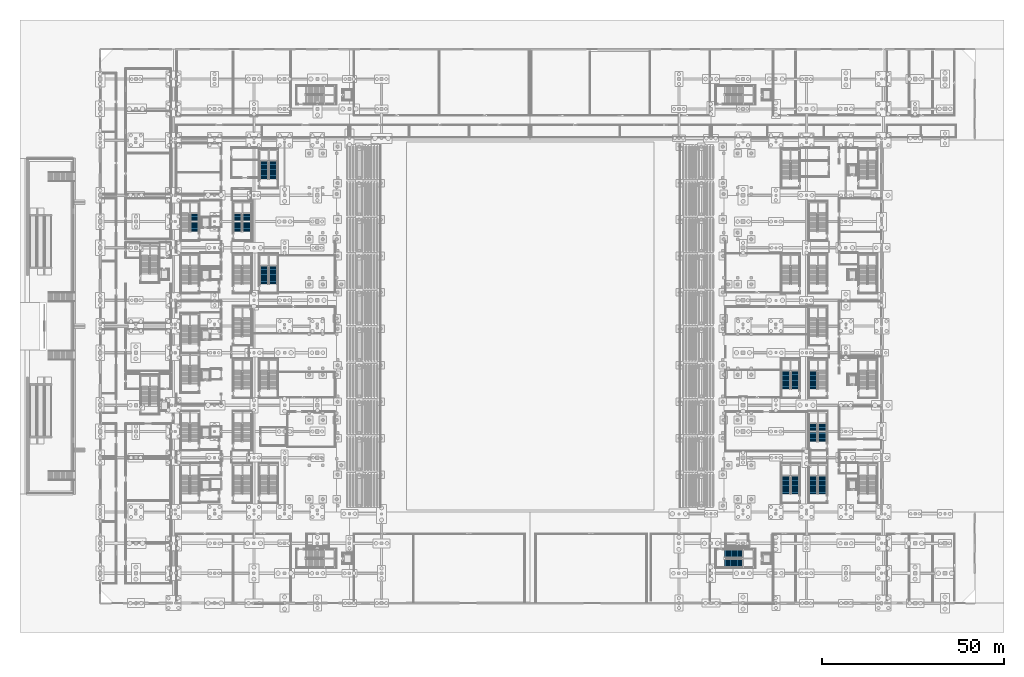
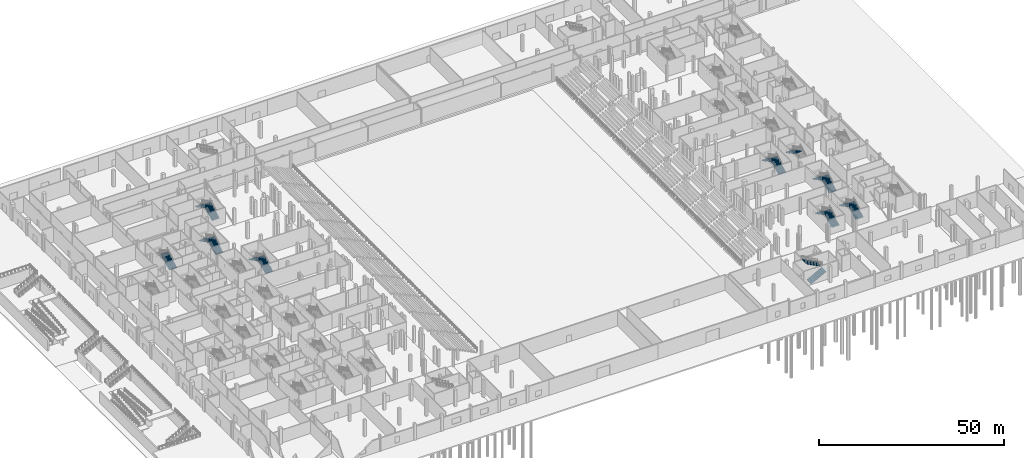
# One storey, part 53 of 89: 18 stair flights, 10 elements without a shape of their own.
"""IFC4 building model written with IfcOpenShell, lengths in metres."""

from ifc_helpers import new_model, si_unit, direction, frame, origin, place, context, subcontext, project, spatial, polyline, outline, extrude, material, type_object, element, aggregate, save


model = new_model("IFC4")

# Units and contexts
model_context = context("Model", 3, precision=1e-05, world=origin(), true_north=direction((0.0, 1.0)))
body_context = subcontext(model_context, "Body", "Model", "MODEL_VIEW")
ifc_project = project(units=[si_unit("LENGTHUNIT", "METRE"), si_unit("AREAUNIT", "SQUARE_METRE"), si_unit("VOLUMEUNIT", "CUBIC_METRE"), si_unit("PLANEANGLEUNIT", "RADIAN"), si_unit("MASSUNIT", "GRAM", prefix="KILO")], contexts=[model_context])

# Site, building, storey
site_placement = place(None, origin())
site = spatial("IfcSite", under=ifc_project, at=site_placement, CompositionType="ELEMENT")
building_placement = place(site_placement, origin())
building = spatial("IfcBuilding", under=site, at=building_placement, Name="Koshinbarg Plaza Stadium", CompositionType="ELEMENT")
storey_placement = place(building_placement, origin())
storey = spatial("IfcBuildingStorey", under=building, at=storey_placement, Name="L00", CompositionType="ELEMENT", Elevation=0.0)

# Stair, stair flight
ifc_material = material(Name="Concrete C35/45", Category="concrete")
stair_type_1 = type_object("IfcStairType", Name="ST-CORE-54", PredefinedType="HALF_TURN_STAIR", material=ifc_material)
stair_1_placement = place(storey_placement, origin())
stair_1 = element("IfcStair", 1, at=stair_1_placement, inside=storey, type_object=stair_type_1, Name="L00 Protected Exit Stair C06", PredefinedType="HALF_TURN_STAIR")
stair_flight_type = type_object("IfcStairFlightType", Name="SFL-CORE-54", PredefinedType="STRAIGHT", material=ifc_material)
stair_flight_1_placement = place(storey_placement, frame((29.889892578125, 101.9599609375, 0.0), z_axis=(0.0, 0.0, 1.0), x_axis=(0.0, 1.0, 0.0)))
stair_flight_1 = element("IfcStairFlight", 2, at=stair_flight_1_placement, type_object=stair_flight_type, Name="L00 Protected Exit Stair C06 flight 061", NumberOfRisers=17, NumberOfTreads=16, PredefinedType="STRAIGHT", RiserHeight=0.158823529, TreadLength=0.3, context=body_context, shape_type="SweptSolid", body=[
    extrude(outline(polyline([(0.0, 0.0), (0.0, 0.158935546875), (0.300048828125, 0.158935546875), (0.300048828125, 0.317626953125), (0.60009765625, 0.317626953125), (0.60009765625, 0.4765625), (0.89990234375, 0.4765625), (0.89990234375, 0.63525390625), (1.199951171875, 0.63525390625), (1.199951171875, 0.794189453125), (1.5, 0.794189453125), (1.5, 0.952880859375), (1.800048828125, 0.952880859375), (1.800048828125, 1.11181640625), (2.10009765625, 1.11181640625), (2.10009765625, 1.2705078125), (2.39990234375, 1.2705078125), (2.39990234375, 1.429443359375), (2.699951171875, 1.429443359375), (2.699951171875, 1.588134765625), (3.0, 1.588134765625), (3.0, 1.7470703125), (3.300048828125, 1.7470703125), (3.300048828125, 1.90576171875), (3.60009765625, 1.90576171875), (3.60009765625, 2.064697265625), (3.89990234375, 2.064697265625), (3.89990234375, 2.2236328125), (4.199951171875, 2.2236328125), (4.199951171875, 2.38232421875), (4.5, 2.38232421875), (4.5, 2.541259765625), (4.800048828125, 2.541259765625), (4.800048828125, 2.699951171875), (4.800048828125, 2.37158203125), (0.3203125, 0.0), (0.0, 0.0)])), frame((0.0, 1.18017578125, 0.0), z_axis=(0.0, -1.0, 0.0), x_axis=(1.0, 0.0, 0.0)), (0.0, 0.0, 1.0), 2.360107421875),
])
aggregate(stair_1, [stair_flight_1])

# Stair, stair flights
stair_2_placement = place(storey_placement, origin())
stair_2 = element("IfcStair", 3, at=stair_2_placement, inside=storey, type_object=stair_type_1, Name="L00 Protected Exit Stair C14", PredefinedType="HALF_TURN_STAIR")
stair_flight_2_placement = place(storey_placement, frame((175.360107421875, 10.97998046875, 0.0), z_axis=(0.0, 0.0, 1.0), x_axis=(1.0, 0.0, 0.0)))
stair_flight_2 = element("IfcStairFlight", 4, at=stair_flight_2_placement, type_object=stair_flight_type, Name="L00 Protected Exit Stair C14 flight 133", NumberOfRisers=17, NumberOfTreads=16, PredefinedType="STRAIGHT", RiserHeight=0.158823529, TreadLength=0.3, context=body_context, shape_type="SweptSolid", body=[
    extrude(outline(polyline([(0.0, 0.0), (0.0, 0.158935546875), (0.300048828125, 0.158935546875), (0.300048828125, 0.317626953125), (0.60009765625, 0.317626953125), (0.60009765625, 0.4765625), (0.89990234375, 0.4765625), (0.89990234375, 0.63525390625), (1.199951171875, 0.63525390625), (1.199951171875, 0.794189453125), (1.5, 0.794189453125), (1.5, 0.952880859375), (1.800048828125, 0.952880859375), (1.800048828125, 1.11181640625), (2.10009765625, 1.11181640625), (2.10009765625, 1.2705078125), (2.39990234375, 1.2705078125), (2.39990234375, 1.429443359375), (2.699951171875, 1.429443359375), (2.699951171875, 1.588134765625), (3.0, 1.588134765625), (3.0, 1.7470703125), (3.300048828125, 1.7470703125), (3.300048828125, 1.90576171875), (3.60009765625, 1.90576171875), (3.60009765625, 2.064697265625), (3.89990234375, 2.064697265625), (3.89990234375, 2.2236328125), (4.199951171875, 2.2236328125), (4.199951171875, 2.38232421875), (4.5, 2.38232421875), (4.5, 2.541259765625), (4.800048828125, 2.541259765625), (4.800048828125, 2.699951171875), (4.800048828125, 2.37158203125), (0.3203125, 0.0), (0.0, 0.0)])), frame((0.0, 1.18017578125, 0.0), z_axis=(0.0, -1.0, 0.0), x_axis=(1.0, 0.0, 0.0)), (0.0, 0.0, 1.0), 2.360107421875),
])
stair_flight_3_placement = place(storey_placement, frame((180.159912109375, 13.489990234375, 2.699951171875), z_axis=(0.0, 0.0, 1.0), x_axis=(-1.0, 0.0, 0.0)))
stair_flight_3 = element("IfcStairFlight", 5, at=stair_flight_3_placement, type_object=stair_flight_type, Name="L00 Protected Exit Stair C14 flight 134", NumberOfRisers=17, NumberOfTreads=16, PredefinedType="STRAIGHT", RiserHeight=0.158823529, TreadLength=0.3, context=body_context, shape_type="SweptSolid", body=[
    extrude(outline(polyline([(0.0, 0.0), (0.0, 0.158935546875), (0.300048828125, 0.158935546875), (0.300048828125, 0.317626953125), (0.60009765625, 0.317626953125), (0.60009765625, 0.4765625), (0.89990234375, 0.4765625), (0.89990234375, 0.63525390625), (1.199951171875, 0.63525390625), (1.199951171875, 0.794189453125), (1.5, 0.794189453125), (1.5, 0.952880859375), (1.800048828125, 0.952880859375), (1.800048828125, 1.11181640625), (2.10009765625, 1.11181640625), (2.10009765625, 1.2705078125), (2.39990234375, 1.2705078125), (2.39990234375, 1.429443359375), (2.699951171875, 1.429443359375), (2.699951171875, 1.588134765625), (3.0, 1.588134765625), (3.0, 1.7470703125), (3.300048828125, 1.7470703125), (3.300048828125, 1.90576171875), (3.60009765625, 1.90576171875), (3.60009765625, 2.064697265625), (3.89990234375, 2.064697265625), (3.89990234375, 2.2236328125), (4.199951171875, 2.2236328125), (4.199951171875, 2.38232421875), (4.5, 2.38232421875), (4.5, 2.541259765625), (4.800048828125, 2.541259765625), (4.800048828125, 2.699951171875), (4.800048828125, 2.37158203125), (0.3203125, 0.0), (0.0, 0.0)])), frame((0.0, 1.18017578125, 0.0), z_axis=(0.0, -1.0, 0.0), x_axis=(1.0, 0.0, 0.0)), (0.0, 0.0, 1.0), 2.360107421875),
])
aggregate(stair_2, [stair_flight_2, stair_flight_3])

stair_type_2 = type_object("IfcStairType", Name="ST-VOM-54", PredefinedType="HALF_TURN_STAIR", material=ifc_material)
stair_3_placement = place(storey_placement, origin())
stair_3 = element("IfcStair", 6, at=stair_3_placement, inside=storey, type_object=stair_type_2, Name="L00 Upper Vomitory Stair VX06", PredefinedType="HALF_TURN_STAIR")
stair_flight_4_placement = place(storey_placement, frame((44.2900390625, 101.9599609375, 0.0), z_axis=(0.0, 0.0, 1.0), x_axis=(0.0, 1.0, 0.0)))
stair_flight_4 = element("IfcStairFlight", 7, at=stair_flight_4_placement, type_object=stair_flight_type, Name="L00 Upper Vomitory Stair VX06 flight 179", NumberOfRisers=17, NumberOfTreads=16, PredefinedType="STRAIGHT", RiserHeight=0.158823529, TreadLength=0.3, context=body_context, shape_type="SweptSolid", body=[
    extrude(outline(polyline([(0.0, 0.0), (0.0, 0.158935546875), (0.300048828125, 0.158935546875), (0.300048828125, 0.317626953125), (0.60009765625, 0.317626953125), (0.60009765625, 0.4765625), (0.89990234375, 0.4765625), (0.89990234375, 0.63525390625), (1.199951171875, 0.63525390625), (1.199951171875, 0.794189453125), (1.5, 0.794189453125), (1.5, 0.952880859375), (1.800048828125, 0.952880859375), (1.800048828125, 1.11181640625), (2.10009765625, 1.11181640625), (2.10009765625, 1.2705078125), (2.39990234375, 1.2705078125), (2.39990234375, 1.429443359375), (2.699951171875, 1.429443359375), (2.699951171875, 1.588134765625), (3.0, 1.588134765625), (3.0, 1.7470703125), (3.300048828125, 1.7470703125), (3.300048828125, 1.90576171875), (3.60009765625, 1.90576171875), (3.60009765625, 2.064697265625), (3.89990234375, 2.064697265625), (3.89990234375, 2.2236328125), (4.199951171875, 2.2236328125), (4.199951171875, 2.38232421875), (4.5, 2.38232421875), (4.5, 2.541259765625), (4.800048828125, 2.541259765625), (4.800048828125, 2.699951171875), (4.800048828125, 2.37158203125), (0.3203125, 0.0), (0.0, 0.0)])), frame((0.0, 1.18017578125, 0.0), z_axis=(0.0, -1.0, 0.0), x_axis=(1.0, 0.0, 0.0)), (0.0, 0.0, 1.0), 2.360107421875),
])
stair_flight_5_placement = place(storey_placement, frame((41.780029296875, 106.760009765625, 2.699951171875), z_axis=(0.0, 0.0, 1.0), x_axis=(0.0, -1.0, 0.0)))
stair_flight_5 = element("IfcStairFlight", 8, at=stair_flight_5_placement, type_object=stair_flight_type, Name="L00 Upper Vomitory Stair VX06 flight 180", NumberOfRisers=17, NumberOfTreads=16, PredefinedType="STRAIGHT", RiserHeight=0.158823529, TreadLength=0.3, context=body_context, shape_type="SweptSolid", body=[
    extrude(outline(polyline([(0.0, 0.0), (0.0, 0.158935546875), (0.300048828125, 0.158935546875), (0.300048828125, 0.317626953125), (0.60009765625, 0.317626953125), (0.60009765625, 0.4765625), (0.89990234375, 0.4765625), (0.89990234375, 0.63525390625), (1.199951171875, 0.63525390625), (1.199951171875, 0.794189453125), (1.5, 0.794189453125), (1.5, 0.952880859375), (1.800048828125, 0.952880859375), (1.800048828125, 1.11181640625), (2.10009765625, 1.11181640625), (2.10009765625, 1.2705078125), (2.39990234375, 1.2705078125), (2.39990234375, 1.429443359375), (2.699951171875, 1.429443359375), (2.699951171875, 1.588134765625), (3.0, 1.588134765625), (3.0, 1.7470703125), (3.300048828125, 1.7470703125), (3.300048828125, 1.90576171875), (3.60009765625, 1.90576171875), (3.60009765625, 2.064697265625), (3.89990234375, 2.064697265625), (3.89990234375, 2.2236328125), (4.199951171875, 2.2236328125), (4.199951171875, 2.38232421875), (4.5, 2.38232421875), (4.5, 2.541259765625), (4.800048828125, 2.541259765625), (4.800048828125, 2.699951171875), (4.800048828125, 2.37158203125), (0.3203125, 0.0), (0.0, 0.0)])), frame((0.0, 1.18017578125, 0.0), z_axis=(0.0, -1.0, 0.0), x_axis=(1.0, 0.0, 0.0)), (0.0, 0.0, 1.0), 2.360107421875),
])
aggregate(stair_3, [stair_flight_4, stair_flight_5])

stair_4_placement = place(storey_placement, origin())
stair_4 = element("IfcStair", 9, at=stair_4_placement, inside=storey, type_object=stair_type_2, Name="L00 Upper Vomitory Stair VX07", PredefinedType="HALF_TURN_STAIR")
stair_flight_6_placement = place(storey_placement, frame((202.18994140625, 29.9599609375, 0.0), z_axis=(0.0, 0.0, 1.0), x_axis=(0.0, 1.0, 0.0)))
stair_flight_6 = element("IfcStairFlight", 10, at=stair_flight_6_placement, type_object=stair_flight_type, Name="L00 Upper Vomitory Stair VX07 flight 185", NumberOfRisers=17, NumberOfTreads=16, PredefinedType="STRAIGHT", RiserHeight=0.158823529, TreadLength=0.3, context=body_context, shape_type="SweptSolid", body=[
    extrude(outline(polyline([(0.0, 0.0), (0.0, 0.158935546875), (0.300048828125, 0.158935546875), (0.300048828125, 0.317626953125), (0.60009765625, 0.317626953125), (0.60009765625, 0.4765625), (0.89990234375, 0.4765625), (0.89990234375, 0.63525390625), (1.199951171875, 0.63525390625), (1.199951171875, 0.794189453125), (1.5, 0.794189453125), (1.5, 0.952880859375), (1.800048828125, 0.952880859375), (1.800048828125, 1.11181640625), (2.10009765625, 1.11181640625), (2.10009765625, 1.2705078125), (2.39990234375, 1.2705078125), (2.39990234375, 1.429443359375), (2.699951171875, 1.429443359375), (2.699951171875, 1.588134765625), (3.0, 1.588134765625), (3.0, 1.7470703125), (3.300048828125, 1.7470703125), (3.300048828125, 1.90576171875), (3.60009765625, 1.90576171875), (3.60009765625, 2.064697265625), (3.89990234375, 2.064697265625), (3.89990234375, 2.2236328125), (4.199951171875, 2.2236328125), (4.199951171875, 2.38232421875), (4.5, 2.38232421875), (4.5, 2.541259765625), (4.800048828125, 2.541259765625), (4.800048828125, 2.699951171875), (4.800048828125, 2.37158203125), (0.3203125, 0.0), (0.0, 0.0)])), frame((0.0, 1.18017578125, 0.0), z_axis=(0.0, -1.0, 0.0), x_axis=(1.0, 0.0, 0.0)), (0.0, 0.0, 1.0), 2.360107421875),
])
stair_flight_7_placement = place(storey_placement, frame((199.679931640625, 34.760009765625, 2.699951171875), z_axis=(0.0, 0.0, 1.0), x_axis=(0.0, -1.0, 0.0)))
stair_flight_7 = element("IfcStairFlight", 11, at=stair_flight_7_placement, type_object=stair_flight_type, Name="L00 Upper Vomitory Stair VX07 flight 186", NumberOfRisers=17, NumberOfTreads=16, PredefinedType="STRAIGHT", RiserHeight=0.158823529, TreadLength=0.3, context=body_context, shape_type="SweptSolid", body=[
    extrude(outline(polyline([(0.0, 0.0), (0.0, 0.158935546875), (0.300048828125, 0.158935546875), (0.300048828125, 0.317626953125), (0.60009765625, 0.317626953125), (0.60009765625, 0.4765625), (0.89990234375, 0.4765625), (0.89990234375, 0.63525390625), (1.199951171875, 0.63525390625), (1.199951171875, 0.794189453125), (1.5, 0.794189453125), (1.5, 0.952880859375), (1.800048828125, 0.952880859375), (1.800048828125, 1.11181640625), (2.10009765625, 1.11181640625), (2.10009765625, 1.2705078125), (2.39990234375, 1.2705078125), (2.39990234375, 1.429443359375), (2.699951171875, 1.429443359375), (2.699951171875, 1.588134765625), (3.0, 1.588134765625), (3.0, 1.7470703125), (3.300048828125, 1.7470703125), (3.300048828125, 1.90576171875), (3.60009765625, 1.90576171875), (3.60009765625, 2.064697265625), (3.89990234375, 2.064697265625), (3.89990234375, 2.2236328125), (4.199951171875, 2.2236328125), (4.199951171875, 2.38232421875), (4.5, 2.38232421875), (4.5, 2.541259765625), (4.800048828125, 2.541259765625), (4.800048828125, 2.699951171875), (4.800048828125, 2.37158203125), (0.3203125, 0.0), (0.0, 0.0)])), frame((0.0, 1.18017578125, 0.0), z_axis=(0.0, -1.0, 0.0), x_axis=(1.0, 0.0, 0.0)), (0.0, 0.0, 1.0), 2.360107421875),
])
aggregate(stair_4, [stair_flight_6, stair_flight_7])

stair_5_placement = place(storey_placement, origin())
stair_5 = element("IfcStair", 12, at=stair_5_placement, inside=storey, type_object=stair_type_2, Name="L00 Upper Vomitory Stair VX08", PredefinedType="HALF_TURN_STAIR")
stair_flight_8_placement = place(storey_placement, frame((202.18994140625, 44.360107421875, 0.0), z_axis=(0.0, 0.0, 1.0), x_axis=(0.0, 1.0, 0.0)))
stair_flight_8 = element("IfcStairFlight", 13, at=stair_flight_8_placement, type_object=stair_flight_type, Name="L00 Upper Vomitory Stair VX08 flight 191", NumberOfRisers=17, NumberOfTreads=16, PredefinedType="STRAIGHT", RiserHeight=0.158823529, TreadLength=0.3, context=body_context, shape_type="SweptSolid", body=[
    extrude(outline(polyline([(0.0, 0.0), (0.0, 0.158935546875), (0.300048828125, 0.158935546875), (0.300048828125, 0.317626953125), (0.60009765625, 0.317626953125), (0.60009765625, 0.4765625), (0.89990234375, 0.4765625), (0.89990234375, 0.63525390625), (1.199951171875, 0.63525390625), (1.199951171875, 0.794189453125), (1.5, 0.794189453125), (1.5, 0.952880859375), (1.800048828125, 0.952880859375), (1.800048828125, 1.11181640625), (2.10009765625, 1.11181640625), (2.10009765625, 1.2705078125), (2.39990234375, 1.2705078125), (2.39990234375, 1.429443359375), (2.699951171875, 1.429443359375), (2.699951171875, 1.588134765625), (3.0, 1.588134765625), (3.0, 1.7470703125), (3.300048828125, 1.7470703125), (3.300048828125, 1.90576171875), (3.60009765625, 1.90576171875), (3.60009765625, 2.064697265625), (3.89990234375, 2.064697265625), (3.89990234375, 2.2236328125), (4.199951171875, 2.2236328125), (4.199951171875, 2.38232421875), (4.5, 2.38232421875), (4.5, 2.541259765625), (4.800048828125, 2.541259765625), (4.800048828125, 2.699951171875), (4.800048828125, 2.37158203125), (0.3203125, 0.0), (0.0, 0.0)])), frame((0.0, 1.18017578125, 0.0), z_axis=(0.0, -1.0, 0.0), x_axis=(1.0, 0.0, 0.0)), (0.0, 0.0, 1.0), 2.360107421875),
])
stair_flight_9_placement = place(storey_placement, frame((199.679931640625, 49.159912109375, 2.699951171875), z_axis=(0.0, 0.0, 1.0), x_axis=(0.0, -1.0, 0.0)))
stair_flight_9 = element("IfcStairFlight", 14, at=stair_flight_9_placement, type_object=stair_flight_type, Name="L00 Upper Vomitory Stair VX08 flight 192", NumberOfRisers=17, NumberOfTreads=16, PredefinedType="STRAIGHT", RiserHeight=0.158823529, TreadLength=0.3, context=body_context, shape_type="SweptSolid", body=[
    extrude(outline(polyline([(0.0, 0.0), (0.0, 0.158935546875), (0.300048828125, 0.158935546875), (0.300048828125, 0.317626953125), (0.60009765625, 0.317626953125), (0.60009765625, 0.4765625), (0.89990234375, 0.4765625), (0.89990234375, 0.63525390625), (1.199951171875, 0.63525390625), (1.199951171875, 0.794189453125), (1.5, 0.794189453125), (1.5, 0.952880859375), (1.800048828125, 0.952880859375), (1.800048828125, 1.11181640625), (2.10009765625, 1.11181640625), (2.10009765625, 1.2705078125), (2.39990234375, 1.2705078125), (2.39990234375, 1.429443359375), (2.699951171875, 1.429443359375), (2.699951171875, 1.588134765625), (3.0, 1.588134765625), (3.0, 1.7470703125), (3.300048828125, 1.7470703125), (3.300048828125, 1.90576171875), (3.60009765625, 1.90576171875), (3.60009765625, 2.064697265625), (3.89990234375, 2.064697265625), (3.89990234375, 2.2236328125), (4.199951171875, 2.2236328125), (4.199951171875, 2.38232421875), (4.5, 2.38232421875), (4.5, 2.541259765625), (4.800048828125, 2.541259765625), (4.800048828125, 2.699951171875), (4.800048828125, 2.37158203125), (0.3203125, 0.0), (0.0, 0.0)])), frame((0.0, 1.18017578125, 0.0), z_axis=(0.0, -1.0, 0.0), x_axis=(1.0, 0.0, 0.0)), (0.0, 0.0, 1.0), 2.360107421875),
])
aggregate(stair_5, [stair_flight_8, stair_flight_9])

# Stair, stair flight
stair_6_placement = place(storey_placement, origin())
stair_6 = element("IfcStair", 15, at=stair_6_placement, inside=storey, type_object=stair_type_2, Name="L00 Upper Vomitory Stair VX09", PredefinedType="HALF_TURN_STAIR")
stair_flight_10_placement = place(storey_placement, frame((199.679931640625, 63.56005859375, 2.699951171875), z_axis=(0.0, 0.0, 1.0), x_axis=(0.0, -1.0, 0.0)))
stair_flight_10 = element("IfcStairFlight", 16, at=stair_flight_10_placement, type_object=stair_flight_type, Name="L00 Upper Vomitory Stair VX09 flight 198", NumberOfRisers=17, NumberOfTreads=16, PredefinedType="STRAIGHT", RiserHeight=0.158823529, TreadLength=0.3, context=body_context, shape_type="SweptSolid", body=[
    extrude(outline(polyline([(0.0, 0.0), (0.0, 0.158935546875), (0.300048828125, 0.158935546875), (0.300048828125, 0.317626953125), (0.60009765625, 0.317626953125), (0.60009765625, 0.4765625), (0.89990234375, 0.4765625), (0.89990234375, 0.63525390625), (1.199951171875, 0.63525390625), (1.199951171875, 0.794189453125), (1.5, 0.794189453125), (1.5, 0.952880859375), (1.800048828125, 0.952880859375), (1.800048828125, 1.11181640625), (2.10009765625, 1.11181640625), (2.10009765625, 1.2705078125), (2.39990234375, 1.2705078125), (2.39990234375, 1.429443359375), (2.699951171875, 1.429443359375), (2.699951171875, 1.588134765625), (3.0, 1.588134765625), (3.0, 1.7470703125), (3.300048828125, 1.7470703125), (3.300048828125, 1.90576171875), (3.60009765625, 1.90576171875), (3.60009765625, 2.064697265625), (3.89990234375, 2.064697265625), (3.89990234375, 2.2236328125), (4.199951171875, 2.2236328125), (4.199951171875, 2.38232421875), (4.5, 2.38232421875), (4.5, 2.541259765625), (4.800048828125, 2.541259765625), (4.800048828125, 2.699951171875), (4.800048828125, 2.37158203125), (0.3203125, 0.0), (0.0, 0.0)])), frame((0.0, 1.18017578125, 0.0), z_axis=(0.0, -1.0, 0.0), x_axis=(1.0, 0.0, 0.0)), (0.0, 0.0, 1.0), 2.360107421875),
])
aggregate(stair_6, [stair_flight_10])

# Stair, stair flights
stair_7_placement = place(storey_placement, origin())
stair_7 = element("IfcStair", 17, at=stair_7_placement, inside=storey, type_object=stair_type_2, Name="L00 Lower Vomitory Stair VL03", PredefinedType="HALF_TURN_STAIR")
stair_flight_11_placement = place(storey_placement, frame((51.489990234375, 87.56005859375, 0.0), z_axis=(0.0, 0.0, 1.0), x_axis=(0.0, 1.0, 0.0)))
stair_flight_11 = element("IfcStairFlight", 18, at=stair_flight_11_placement, type_object=stair_flight_type, Name="L00 Lower Vomitory Stair VL03 flight 225", NumberOfRisers=17, NumberOfTreads=16, PredefinedType="STRAIGHT", RiserHeight=0.158823529, TreadLength=0.3, context=body_context, shape_type="SweptSolid", body=[
    extrude(outline(polyline([(0.0, 0.0), (0.0, 0.158935546875), (0.300048828125, 0.158935546875), (0.300048828125, 0.317626953125), (0.60009765625, 0.317626953125), (0.60009765625, 0.4765625), (0.89990234375, 0.4765625), (0.89990234375, 0.63525390625), (1.199951171875, 0.63525390625), (1.199951171875, 0.794189453125), (1.5, 0.794189453125), (1.5, 0.952880859375), (1.800048828125, 0.952880859375), (1.800048828125, 1.11181640625), (2.10009765625, 1.11181640625), (2.10009765625, 1.2705078125), (2.39990234375, 1.2705078125), (2.39990234375, 1.429443359375), (2.699951171875, 1.429443359375), (2.699951171875, 1.588134765625), (3.0, 1.588134765625), (3.0, 1.7470703125), (3.300048828125, 1.7470703125), (3.300048828125, 1.90576171875), (3.60009765625, 1.90576171875), (3.60009765625, 2.064697265625), (3.89990234375, 2.064697265625), (3.89990234375, 2.2236328125), (4.199951171875, 2.2236328125), (4.199951171875, 2.38232421875), (4.5, 2.38232421875), (4.5, 2.541259765625), (4.800048828125, 2.541259765625), (4.800048828125, 2.699951171875), (4.800048828125, 2.37158203125), (0.3203125, 0.0), (0.0, 0.0)])), frame((0.0, 1.18017578125, 0.0), z_axis=(0.0, -1.0, 0.0), x_axis=(1.0, 0.0, 0.0)), (0.0, 0.0, 1.0), 2.360107421875),
])
stair_flight_12_placement = place(storey_placement, frame((48.97998046875, 92.360107421875, 2.699951171875), z_axis=(0.0, 0.0, 1.0), x_axis=(0.0, -1.0, 0.0)))
stair_flight_12 = element("IfcStairFlight", 19, at=stair_flight_12_placement, type_object=stair_flight_type, Name="L00 Lower Vomitory Stair VL03 flight 226", NumberOfRisers=17, NumberOfTreads=16, PredefinedType="STRAIGHT", RiserHeight=0.158823529, TreadLength=0.3, context=body_context, shape_type="SweptSolid", body=[
    extrude(outline(polyline([(0.0, 0.0), (0.0, 0.158935546875), (0.300048828125, 0.158935546875), (0.300048828125, 0.317626953125), (0.60009765625, 0.317626953125), (0.60009765625, 0.4765625), (0.89990234375, 0.4765625), (0.89990234375, 0.63525390625), (1.199951171875, 0.63525390625), (1.199951171875, 0.794189453125), (1.5, 0.794189453125), (1.5, 0.952880859375), (1.800048828125, 0.952880859375), (1.800048828125, 1.11181640625), (2.10009765625, 1.11181640625), (2.10009765625, 1.2705078125), (2.39990234375, 1.2705078125), (2.39990234375, 1.429443359375), (2.699951171875, 1.429443359375), (2.699951171875, 1.588134765625), (3.0, 1.588134765625), (3.0, 1.7470703125), (3.300048828125, 1.7470703125), (3.300048828125, 1.90576171875), (3.60009765625, 1.90576171875), (3.60009765625, 2.064697265625), (3.89990234375, 2.064697265625), (3.89990234375, 2.2236328125), (4.199951171875, 2.2236328125), (4.199951171875, 2.38232421875), (4.5, 2.38232421875), (4.5, 2.541259765625), (4.800048828125, 2.541259765625), (4.800048828125, 2.699951171875), (4.800048828125, 2.37158203125), (0.3203125, 0.0), (0.0, 0.0)])), frame((0.0, 1.18017578125, 0.0), z_axis=(0.0, -1.0, 0.0), x_axis=(1.0, 0.0, 0.0)), (0.0, 0.0, 1.0), 2.360107421875),
])
aggregate(stair_7, [stair_flight_11, stair_flight_12])

stair_8_placement = place(storey_placement, origin())
stair_8 = element("IfcStair", 20, at=stair_8_placement, inside=storey, type_object=stair_type_2, Name="L00 Lower Vomitory Stair VL04", PredefinedType="HALF_TURN_STAIR")
stair_flight_13_placement = place(storey_placement, frame((51.489990234375, 116.360107421875, 0.0), z_axis=(0.0, 0.0, 1.0), x_axis=(0.0, 1.0, 0.0)))
stair_flight_13 = element("IfcStairFlight", 21, at=stair_flight_13_placement, type_object=stair_flight_type, Name="L00 Lower Vomitory Stair VL04 flight 227", NumberOfRisers=17, NumberOfTreads=16, PredefinedType="STRAIGHT", RiserHeight=0.158823529, TreadLength=0.3, context=body_context, shape_type="SweptSolid", body=[
    extrude(outline(polyline([(0.0, 0.0), (0.0, 0.158935546875), (0.300048828125, 0.158935546875), (0.300048828125, 0.317626953125), (0.60009765625, 0.317626953125), (0.60009765625, 0.4765625), (0.89990234375, 0.4765625), (0.89990234375, 0.63525390625), (1.199951171875, 0.63525390625), (1.199951171875, 0.794189453125), (1.5, 0.794189453125), (1.5, 0.952880859375), (1.800048828125, 0.952880859375), (1.800048828125, 1.11181640625), (2.10009765625, 1.11181640625), (2.10009765625, 1.2705078125), (2.39990234375, 1.2705078125), (2.39990234375, 1.429443359375), (2.699951171875, 1.429443359375), (2.699951171875, 1.588134765625), (3.0, 1.588134765625), (3.0, 1.7470703125), (3.300048828125, 1.7470703125), (3.300048828125, 1.90576171875), (3.60009765625, 1.90576171875), (3.60009765625, 2.064697265625), (3.89990234375, 2.064697265625), (3.89990234375, 2.2236328125), (4.199951171875, 2.2236328125), (4.199951171875, 2.38232421875), (4.5, 2.38232421875), (4.5, 2.541259765625), (4.800048828125, 2.541259765625), (4.800048828125, 2.699951171875), (4.800048828125, 2.37158203125), (0.3203125, 0.0), (0.0, 0.0)])), frame((0.0, 1.18017578125, 0.0), z_axis=(0.0, -1.0, 0.0), x_axis=(1.0, 0.0, 0.0)), (0.0, 0.0, 1.0), 2.360107421875),
])
stair_flight_14_placement = place(storey_placement, frame((48.97998046875, 121.159912109375, 2.699951171875), z_axis=(0.0, 0.0, 1.0), x_axis=(0.0, -1.0, 0.0)))
stair_flight_14 = element("IfcStairFlight", 22, at=stair_flight_14_placement, type_object=stair_flight_type, Name="L00 Lower Vomitory Stair VL04 flight 228", NumberOfRisers=17, NumberOfTreads=16, PredefinedType="STRAIGHT", RiserHeight=0.158823529, TreadLength=0.3, context=body_context, shape_type="SweptSolid", body=[
    extrude(outline(polyline([(0.0, 0.0), (0.0, 0.158935546875), (0.300048828125, 0.158935546875), (0.300048828125, 0.317626953125), (0.60009765625, 0.317626953125), (0.60009765625, 0.4765625), (0.89990234375, 0.4765625), (0.89990234375, 0.63525390625), (1.199951171875, 0.63525390625), (1.199951171875, 0.794189453125), (1.5, 0.794189453125), (1.5, 0.952880859375), (1.800048828125, 0.952880859375), (1.800048828125, 1.11181640625), (2.10009765625, 1.11181640625), (2.10009765625, 1.2705078125), (2.39990234375, 1.2705078125), (2.39990234375, 1.429443359375), (2.699951171875, 1.429443359375), (2.699951171875, 1.588134765625), (3.0, 1.588134765625), (3.0, 1.7470703125), (3.300048828125, 1.7470703125), (3.300048828125, 1.90576171875), (3.60009765625, 1.90576171875), (3.60009765625, 2.064697265625), (3.89990234375, 2.064697265625), (3.89990234375, 2.2236328125), (4.199951171875, 2.2236328125), (4.199951171875, 2.38232421875), (4.5, 2.38232421875), (4.5, 2.541259765625), (4.800048828125, 2.541259765625), (4.800048828125, 2.699951171875), (4.800048828125, 2.37158203125), (0.3203125, 0.0), (0.0, 0.0)])), frame((0.0, 1.18017578125, 0.0), z_axis=(0.0, -1.0, 0.0), x_axis=(1.0, 0.0, 0.0)), (0.0, 0.0, 1.0), 2.360107421875),
])
aggregate(stair_8, [stair_flight_13, stair_flight_14])

stair_9_placement = place(storey_placement, origin())
stair_9 = element("IfcStair", 23, at=stair_9_placement, inside=storey, type_object=stair_type_2, Name="L00 Lower Vomitory Stair VL05", PredefinedType="HALF_TURN_STAIR")
stair_flight_15_placement = place(storey_placement, frame((194.68994140625, 29.9599609375, 0.0), z_axis=(0.0, 0.0, 1.0), x_axis=(0.0, 1.0, 0.0)))
stair_flight_15 = element("IfcStairFlight", 24, at=stair_flight_15_placement, type_object=stair_flight_type, Name="L00 Lower Vomitory Stair VL05 flight 229", NumberOfRisers=17, NumberOfTreads=16, PredefinedType="STRAIGHT", RiserHeight=0.158823529, TreadLength=0.3, context=body_context, shape_type="SweptSolid", body=[
    extrude(outline(polyline([(0.0, 0.0), (0.0, 0.158935546875), (0.300048828125, 0.158935546875), (0.300048828125, 0.317626953125), (0.60009765625, 0.317626953125), (0.60009765625, 0.4765625), (0.89990234375, 0.4765625), (0.89990234375, 0.63525390625), (1.199951171875, 0.63525390625), (1.199951171875, 0.794189453125), (1.5, 0.794189453125), (1.5, 0.952880859375), (1.800048828125, 0.952880859375), (1.800048828125, 1.11181640625), (2.10009765625, 1.11181640625), (2.10009765625, 1.2705078125), (2.39990234375, 1.2705078125), (2.39990234375, 1.429443359375), (2.699951171875, 1.429443359375), (2.699951171875, 1.588134765625), (3.0, 1.588134765625), (3.0, 1.7470703125), (3.300048828125, 1.7470703125), (3.300048828125, 1.90576171875), (3.60009765625, 1.90576171875), (3.60009765625, 2.064697265625), (3.89990234375, 2.064697265625), (3.89990234375, 2.2236328125), (4.199951171875, 2.2236328125), (4.199951171875, 2.38232421875), (4.5, 2.38232421875), (4.5, 2.541259765625), (4.800048828125, 2.541259765625), (4.800048828125, 2.699951171875), (4.800048828125, 2.37158203125), (0.3203125, 0.0), (0.0, 0.0)])), frame((0.0, 1.18017578125, 0.0), z_axis=(0.0, -1.0, 0.0), x_axis=(1.0, 0.0, 0.0)), (0.0, 0.0, 1.0), 2.360107421875),
])
stair_flight_16_placement = place(storey_placement, frame((192.179931640625, 34.760009765625, 2.699951171875), z_axis=(0.0, 0.0, 1.0), x_axis=(0.0, -1.0, 0.0)))
stair_flight_16 = element("IfcStairFlight", 25, at=stair_flight_16_placement, type_object=stair_flight_type, Name="L00 Lower Vomitory Stair VL05 flight 230", NumberOfRisers=17, NumberOfTreads=16, PredefinedType="STRAIGHT", RiserHeight=0.158823529, TreadLength=0.3, context=body_context, shape_type="SweptSolid", body=[
    extrude(outline(polyline([(0.0, 0.0), (0.0, 0.158935546875), (0.300048828125, 0.158935546875), (0.300048828125, 0.317626953125), (0.60009765625, 0.317626953125), (0.60009765625, 0.4765625), (0.89990234375, 0.4765625), (0.89990234375, 0.63525390625), (1.199951171875, 0.63525390625), (1.199951171875, 0.794189453125), (1.5, 0.794189453125), (1.5, 0.952880859375), (1.800048828125, 0.952880859375), (1.800048828125, 1.11181640625), (2.10009765625, 1.11181640625), (2.10009765625, 1.2705078125), (2.39990234375, 1.2705078125), (2.39990234375, 1.429443359375), (2.699951171875, 1.429443359375), (2.699951171875, 1.588134765625), (3.0, 1.588134765625), (3.0, 1.7470703125), (3.300048828125, 1.7470703125), (3.300048828125, 1.90576171875), (3.60009765625, 1.90576171875), (3.60009765625, 2.064697265625), (3.89990234375, 2.064697265625), (3.89990234375, 2.2236328125), (4.199951171875, 2.2236328125), (4.199951171875, 2.38232421875), (4.5, 2.38232421875), (4.5, 2.541259765625), (4.800048828125, 2.541259765625), (4.800048828125, 2.699951171875), (4.800048828125, 2.37158203125), (0.3203125, 0.0), (0.0, 0.0)])), frame((0.0, 1.18017578125, 0.0), z_axis=(0.0, -1.0, 0.0), x_axis=(1.0, 0.0, 0.0)), (0.0, 0.0, 1.0), 2.360107421875),
])
aggregate(stair_9, [stair_flight_15, stair_flight_16])

stair_10_placement = place(storey_placement, origin())
stair_10 = element("IfcStair", 26, at=stair_10_placement, inside=storey, type_object=stair_type_2, Name="L00 Lower Vomitory Stair VL06", PredefinedType="HALF_TURN_STAIR")
stair_flight_17_placement = place(storey_placement, frame((194.68994140625, 58.760009765625, 0.0), z_axis=(0.0, 0.0, 1.0), x_axis=(0.0, 1.0, 0.0)))
stair_flight_17 = element("IfcStairFlight", 27, at=stair_flight_17_placement, type_object=stair_flight_type, Name="L00 Lower Vomitory Stair VL06 flight 231", NumberOfRisers=17, NumberOfTreads=16, PredefinedType="STRAIGHT", RiserHeight=0.158823529, TreadLength=0.3, context=body_context, shape_type="SweptSolid", body=[
    extrude(outline(polyline([(0.0, 0.0), (0.0, 0.158935546875), (0.300048828125, 0.158935546875), (0.300048828125, 0.317626953125), (0.60009765625, 0.317626953125), (0.60009765625, 0.4765625), (0.89990234375, 0.4765625), (0.89990234375, 0.63525390625), (1.199951171875, 0.63525390625), (1.199951171875, 0.794189453125), (1.5, 0.794189453125), (1.5, 0.952880859375), (1.800048828125, 0.952880859375), (1.800048828125, 1.11181640625), (2.10009765625, 1.11181640625), (2.10009765625, 1.2705078125), (2.39990234375, 1.2705078125), (2.39990234375, 1.429443359375), (2.699951171875, 1.429443359375), (2.699951171875, 1.588134765625), (3.0, 1.588134765625), (3.0, 1.7470703125), (3.300048828125, 1.7470703125), (3.300048828125, 1.90576171875), (3.60009765625, 1.90576171875), (3.60009765625, 2.064697265625), (3.89990234375, 2.064697265625), (3.89990234375, 2.2236328125), (4.199951171875, 2.2236328125), (4.199951171875, 2.38232421875), (4.5, 2.38232421875), (4.5, 2.541259765625), (4.800048828125, 2.541259765625), (4.800048828125, 2.699951171875), (4.800048828125, 2.37158203125), (0.3203125, 0.0), (0.0, 0.0)])), frame((0.0, 1.18017578125, 0.0), z_axis=(0.0, -1.0, 0.0), x_axis=(1.0, 0.0, 0.0)), (0.0, 0.0, 1.0), 2.360107421875),
])
stair_flight_18_placement = place(storey_placement, frame((192.179931640625, 63.56005859375, 2.699951171875), z_axis=(0.0, 0.0, 1.0), x_axis=(0.0, -1.0, 0.0)))
stair_flight_18 = element("IfcStairFlight", 28, at=stair_flight_18_placement, type_object=stair_flight_type, Name="L00 Lower Vomitory Stair VL06 flight 232", NumberOfRisers=17, NumberOfTreads=16, PredefinedType="STRAIGHT", RiserHeight=0.158823529, TreadLength=0.3, context=body_context, shape_type="SweptSolid", body=[
    extrude(outline(polyline([(0.0, 0.0), (0.0, 0.158935546875), (0.300048828125, 0.158935546875), (0.300048828125, 0.317626953125), (0.60009765625, 0.317626953125), (0.60009765625, 0.4765625), (0.89990234375, 0.4765625), (0.89990234375, 0.63525390625), (1.199951171875, 0.63525390625), (1.199951171875, 0.794189453125), (1.5, 0.794189453125), (1.5, 0.952880859375), (1.800048828125, 0.952880859375), (1.800048828125, 1.11181640625), (2.10009765625, 1.11181640625), (2.10009765625, 1.2705078125), (2.39990234375, 1.2705078125), (2.39990234375, 1.429443359375), (2.699951171875, 1.429443359375), (2.699951171875, 1.588134765625), (3.0, 1.588134765625), (3.0, 1.7470703125), (3.300048828125, 1.7470703125), (3.300048828125, 1.90576171875), (3.60009765625, 1.90576171875), (3.60009765625, 2.064697265625), (3.89990234375, 2.064697265625), (3.89990234375, 2.2236328125), (4.199951171875, 2.2236328125), (4.199951171875, 2.38232421875), (4.5, 2.38232421875), (4.5, 2.541259765625), (4.800048828125, 2.541259765625), (4.800048828125, 2.699951171875), (4.800048828125, 2.37158203125), (0.3203125, 0.0), (0.0, 0.0)])), frame((0.0, 1.18017578125, 0.0), z_axis=(0.0, -1.0, 0.0), x_axis=(1.0, 0.0, 0.0)), (0.0, 0.0, 1.0), 2.360107421875),
])
aggregate(stair_10, [stair_flight_17, stair_flight_18])

save(model, "model.ifc")
